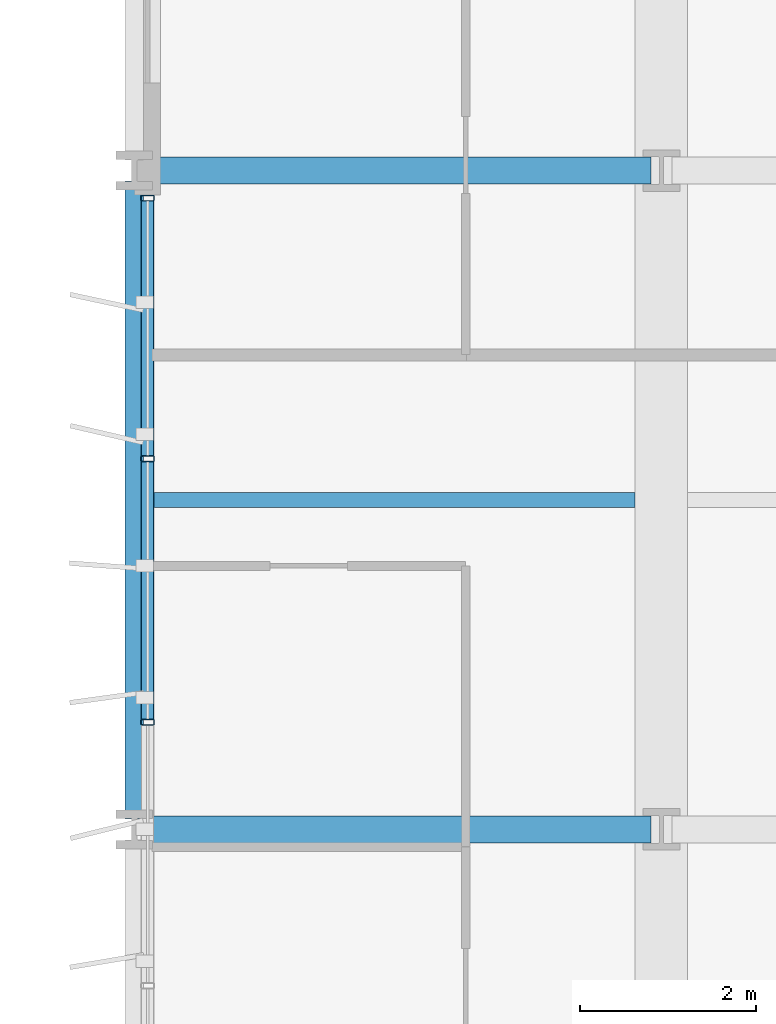
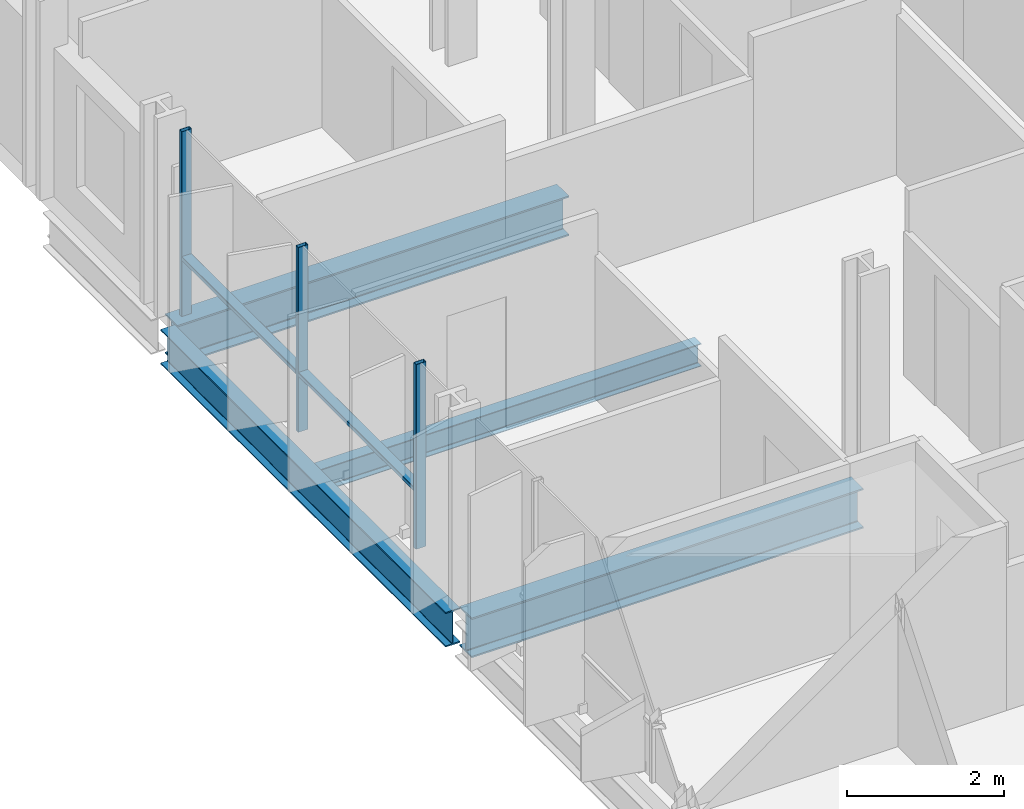
# One storey, part 5 of 38: 5 members, 4 beams, 1 element without a shape of its own.
"""IFC4 building model written with IfcOpenShell, lengths in metres."""

from ifc_helpers import new_model, si_unit, direction, frame, origin, origin_2d, place, context, subcontext, project, spatial, hollow_rectangle, i_section, extrude, material, layer, layer_set, material_profile, profile_set, type_object, element, aggregate, save


model = new_model("IFC4")

# Units and contexts
model_context = context("Model", 3, precision=1e-05, world=origin(), true_north=direction((0.0, 1.0)))
body_context = subcontext(model_context, "Body", "Model", "MODEL_VIEW")
ifc_project = project(units=[si_unit("LENGTHUNIT", "METRE"), si_unit("AREAUNIT", "SQUARE_METRE"), si_unit("VOLUMEUNIT", "CUBIC_METRE"), si_unit("PLANEANGLEUNIT", "RADIAN"), si_unit("MASSUNIT", "GRAM", prefix="KILO")], contexts=[model_context])

# Site, building, storey
site_placement = place(None, origin())
site = spatial("IfcSite", under=ifc_project, at=site_placement, CompositionType="ELEMENT")
building_placement = place(site_placement, origin())
building = spatial("IfcBuilding", under=site, at=building_placement, Name="Brevholm Reach", CompositionType="ELEMENT")
storey_placement = place(building_placement, frame((0.0, 0.0, 28.0)))
storey = spatial("IfcBuildingStorey", under=building, at=storey_placement, Name="L06", CompositionType="ELEMENT", Elevation=28.0)

# Beams
ifc_material_1 = material(Name="Structural Steel S355J2", Category="steel")
ifc_material_profile_1 = material_profile(ifc_material_1, i_section(OverallWidth=0.17138671875, OverallDepth=0.35498046875, WebThickness=0.00732421875, FlangeThickness=0.011474609375, FilletRadius=0.01025390625, at=origin_2d()), Name="UKB 356x171x51")
ifc_profile_set_1 = profile_set([ifc_material_profile_1], Name="Structural Steel S355J2")
beam_type_1 = type_object("IfcBeamType", Name="BM-B356", PredefinedType="BEAM", material=ifc_profile_set_1)
beam_1_placement = place(storey_placement, frame((0.10546875, 19.75, -0.447509765625), z_axis=(1.0, 0.0, 0.0), x_axis=(0.0, 1.0, 0.0)))
element("IfcBeam", 1, at=beam_1_placement, inside=storey, type_object=beam_type_1, Name="L06 Composite Secondary Floor Beam", PredefinedType="BEAM", context=body_context, shape_type="SweptSolid", body=[
    extrude(i_section(OverallWidth=0.17138671875, OverallDepth=0.35498046875, WebThickness=0.00732421875, FlangeThickness=0.011474609375, FilletRadius=0.01025390625, at=origin_2d()), origin(), (0.0, 0.0, 1.0), 5.594482421875),
])
ifc_material_2 = material(Name="Structural Steel S355J2", Category="steel")
ifc_material_profile_2 = material_profile(ifc_material_2, i_section(OverallWidth=0.210693359375, OverallDepth=0.53955078125, WebThickness=0.01171875, FlangeThickness=0.018798828125, FilletRadius=0.0126953125, at=origin_2d()), Name="UKB 533x210x109")
ifc_profile_set_2 = profile_set([ifc_material_profile_2], Name="Structural Steel S355J2")
beam_type_2 = type_object("IfcBeamType", Name="BM-SP539", PredefinedType="SPANDREL", material=ifc_profile_set_2)
beam_2_placement = place(storey_placement, frame((0.0, 16.1201171875, -0.539794921875), z_axis=(0.0, 1.0, 0.0), x_axis=(-1.0, 0.0, 0.0)))
element("IfcBeam", 2, at=beam_2_placement, inside=storey, type_object=beam_type_2, Name="L06 SP-01B Framing Beam", PredefinedType="SPANDREL", context=body_context, shape_type="SweptSolid", body=[
    extrude(i_section(OverallWidth=0.210693359375, OverallDepth=0.53955078125, WebThickness=0.01171875, FlangeThickness=0.018798828125, FilletRadius=0.0126953125, at=origin_2d()), origin(), (0.0, 0.0, 1.0), 7.259765625),
])
ifc_material_3 = material(Name="Structural Steel S355J2", Category="steel")
ifc_material_profile_3 = material_profile(ifc_material_3, i_section(OverallWidth=0.30712890625, OverallDepth=0.6201171875, WebThickness=0.01416015625, FlangeThickness=0.023681640625, FilletRadius=0.0166015625, at=origin_2d()), Name="UKB 610x305x179")
ifc_profile_set_3 = profile_set([ifc_material_profile_3], Name="Structural Steel S355J2")
beam_type_3 = type_object("IfcBeamType", Name="BM-UKB610H", PredefinedType="USERDEFINED", material=ifc_profile_set_3)
for number, where, z_axis, x_axis, name in (
    (3, (0.1201171875, 16.0, -0.580078125), (1.0, 0.0, 0.0), (0.0, 1.0, 0.0), "L06 G-06 Framing Beam"),
    (4, (0.1201171875, 23.5, -0.580078125), (1.0, 0.0, 0.0), (0.0, 1.0, 0.0), "L06 G-06 Framing Beam"),
):
    element("IfcBeam", number, at=place(storey_placement, frame(where, z_axis=z_axis, x_axis=x_axis)), inside=storey, type_object=beam_type_3, Name=name, ObjectType="GIRDER", PredefinedType="USERDEFINED", context=body_context, shape_type="SweptSolid", body=[
        extrude(i_section(OverallWidth=0.30712890625, OverallDepth=0.6201171875, WebThickness=0.01416015625, FlangeThickness=0.023681640625, FilletRadius=0.0166015625, at=origin_2d()), origin(), (0.0, 0.0, 1.0), 5.759765625),
    ])

# Curtain wall, members
ifc_material_4 = material(Name="Dark Anodised Aluminium 6063-T6 and Solar-Control Glass", Category="aluminium")
ifc_layer = layer(ifc_material_4, 0.14990234375)
ifc_layer_set = layer_set([ifc_layer], Name="Dark Anodised Aluminium 6063-T6 and Solar-Control Glass")
curtain_wall_type = type_object("IfcCurtainWallType", Name="CW-01", PredefinedType="NOTDEFINED", material=ifc_layer_set)
curtain_wall_placement = place(storey_placement, origin())
curtain_wall = element("IfcCurtainWall", 5, at=curtain_wall_placement, inside=storey, type_object=curtain_wall_type, Name="L06 Curtain Wall CW-01", PredefinedType="NOTDEFINED")
ifc_material_5 = material(Name="Dark Anodised Aluminium 6063-T6", Category="aluminium")
ifc_material_profile_4 = material_profile(ifc_material_5, hollow_rectangle(XDim=0.06494140625, YDim=0.14990234375, WallThickness=0.0048828125, InnerFilletRadius=0.0048828125, OuterFilletRadius=0.010009765625, at=origin_2d()), Name="RHS 150x65x5")
ifc_profile_set_4 = profile_set([ifc_material_profile_4], Name="Dark Anodised Aluminium 6063-T6")
member_type_1 = type_object("IfcMemberType", Name="CWM-150", PredefinedType="MULLION", material=ifc_profile_set_4)
member_1_placement = place(storey_placement, frame((0.14990234375, 23.1875, 0.0), z_axis=(0.0, 0.0, 1.0), x_axis=(0.0, -1.0, 0.0)))
member_1 = element("IfcMember", 6, at=member_1_placement, type_object=member_type_1, Name="CM-150 Mullion 1", PredefinedType="MULLION", context=body_context, shape_type="SweptSolid", body=[
    extrude(hollow_rectangle(XDim=0.06494140625, YDim=0.14990234375, WallThickness=0.0048828125, InnerFilletRadius=0.0048828125, OuterFilletRadius=0.010009765625, at=origin_2d()), origin(), (0.0, 0.0, 1.0), 2.8701171875),
])
member_2_placement = place(storey_placement, frame((0.14990234375, 20.219970703125, 0.0), z_axis=(0.0, 0.0, 1.0), x_axis=(0.0, -1.0, 0.0)))
member_2 = element("IfcMember", 7, at=member_2_placement, type_object=member_type_1, Name="CM-150 Mullion 2", PredefinedType="MULLION", context=body_context, shape_type="SweptSolid", body=[
    extrude(hollow_rectangle(XDim=0.06494140625, YDim=0.14990234375, WallThickness=0.0048828125, InnerFilletRadius=0.0048828125, OuterFilletRadius=0.010009765625, at=origin_2d()), origin(), (0.0, 0.0, 1.0), 2.8701171875),
])
member_3_placement = place(storey_placement, frame((0.14990234375, 17.219970703125, 0.0), z_axis=(0.0, 0.0, 1.0), x_axis=(0.0, -1.0, 0.0)))
member_3 = element("IfcMember", 8, at=member_3_placement, type_object=member_type_1, Name="CM-150 Mullion 3", PredefinedType="MULLION", context=body_context, shape_type="SweptSolid", body=[
    extrude(hollow_rectangle(XDim=0.06494140625, YDim=0.14990234375, WallThickness=0.0048828125, InnerFilletRadius=0.0048828125, OuterFilletRadius=0.010009765625, at=origin_2d()), origin(), (0.0, 0.0, 1.0), 2.8701171875),
])
ifc_material_6 = material(Name="Dark Anodised Aluminium 6063-T6", Category="aluminium")
ifc_material_profile_5 = material_profile(ifc_material_6, hollow_rectangle(XDim=0.06494140625, YDim=0.14990234375, WallThickness=0.0048828125, InnerFilletRadius=0.0048828125, OuterFilletRadius=0.010009765625, at=origin_2d()), Name="RHS 150x65x5")
ifc_profile_set_5 = profile_set([ifc_material_profile_5], Name="Dark Anodised Aluminium 6063-T6")
member_type_2 = type_object("IfcMemberType", Name="CWT-150", PredefinedType="NOTDEFINED", material=ifc_profile_set_5)
member_4_placement = place(storey_placement, frame((0.14990234375, 23.155029296875, 0.89990234375), z_axis=(0.0, -1.0, 0.0), x_axis=(0.0, 0.0, 1.0)))
member_4 = element("IfcMember", 9, at=member_4_placement, type_object=member_type_2, Name="CT-150 Transom 1.1", ObjectType="TRANSOM", PredefinedType="USERDEFINED", context=body_context, shape_type="SweptSolid", body=[
    extrude(hollow_rectangle(XDim=0.06494140625, YDim=0.14990234375, WallThickness=0.0048828125, InnerFilletRadius=0.0048828125, OuterFilletRadius=0.010009765625, at=origin_2d()), origin(), (0.0, 0.0, 1.0), 2.902587890625),
])
member_5_placement = place(storey_placement, frame((0.14990234375, 20.1875, 0.89990234375), z_axis=(0.0, -1.0, 0.0), x_axis=(0.0, 0.0, 1.0)))
member_5 = element("IfcMember", 10, at=member_5_placement, type_object=member_type_2, Name="CT-150 Transom 2.1", ObjectType="TRANSOM", PredefinedType="USERDEFINED", context=body_context, shape_type="SweptSolid", body=[
    extrude(hollow_rectangle(XDim=0.06494140625, YDim=0.14990234375, WallThickness=0.0048828125, InnerFilletRadius=0.0048828125, OuterFilletRadius=0.010009765625, at=origin_2d()), origin(), (0.0, 0.0, 1.0), 2.93505859375),
])
aggregate(curtain_wall, [member_1, member_2, member_3, member_4, member_5])

save(model, "model.ifc")
